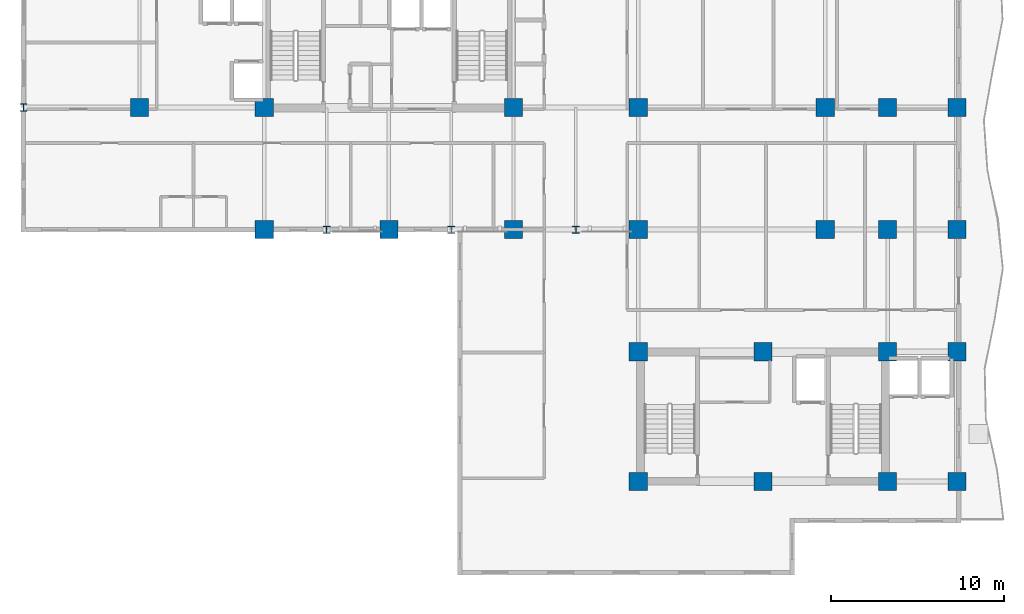
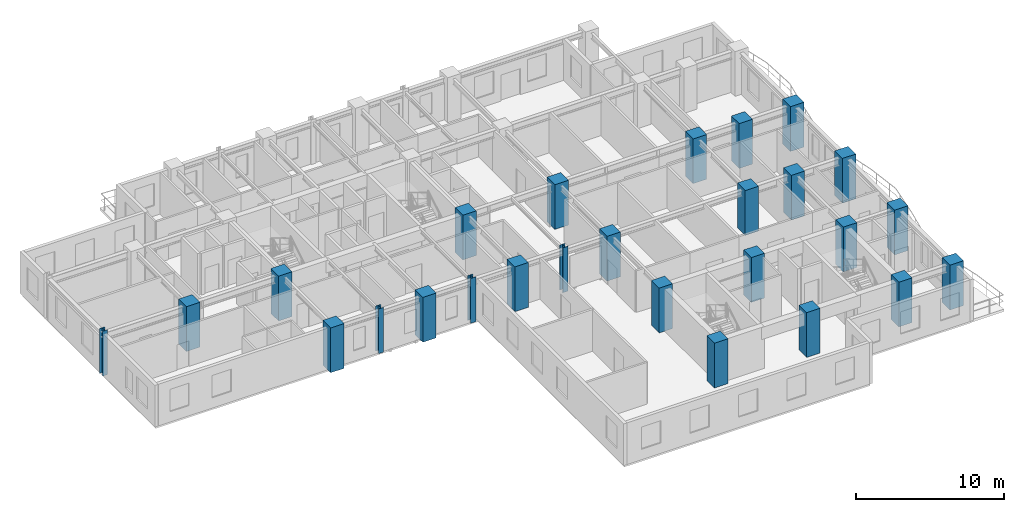
# One storey, part 1 of 13: 26 columns.
"""IFC4 building model written with IfcOpenShell, lengths in metres."""

from ifc_helpers import new_model, si_unit, direction, frame, origin, origin_2d, place, context, subcontext, project, spatial, rectangle, i_section, extrude, source, transform, mapped, material, material_profile, profile_set, type_object, element, save


model = new_model("IFC4")

# Units and contexts
model_context = context("Model", 3, precision=1e-05, world=origin(), true_north=direction((0.0, 1.0)))
body_context = subcontext(model_context, "Body", "Model", "MODEL_VIEW")
ifc_project = project(units=[si_unit("LENGTHUNIT", "METRE"), si_unit("AREAUNIT", "SQUARE_METRE"), si_unit("VOLUMEUNIT", "CUBIC_METRE"), si_unit("PLANEANGLEUNIT", "RADIAN"), si_unit("MASSUNIT", "GRAM", prefix="KILO")], contexts=[model_context])

# Site, building, storey
site_placement = place(None, origin())
site = spatial("IfcSite", under=ifc_project, at=site_placement, CompositionType="ELEMENT")
building_placement = place(site_placement, origin())
building = spatial("IfcBuilding", under=site, at=building_placement, Name="Kaliganga Portal Commons", CompositionType="ELEMENT")
storey_placement = place(building_placement, frame((0.0, 0.0, 173.5)))
storey = spatial("IfcBuildingStorey", under=building, at=storey_placement, Name="L44", CompositionType="ELEMENT", Elevation=173.5)

# Columns
ifc_material_1 = material(Name="Concrete C60/75", Category="concrete")
ifc_material_profile_1 = material_profile(ifc_material_1, rectangle(XDim=1.050048828125, YDim=1.050048828125, at=origin_2d()), Name="RC 1050x1050")
ifc_profile_set_1 = profile_set([ifc_material_profile_1], Name="Concrete C60/75")
column_type_1 = type_object("IfcColumnType", Name="COL-MEGA-Z3", PredefinedType="COLUMN", material=ifc_profile_set_1)
shared_shape_1 = source(origin(), body_context, "Body", "SweptSolid", [
    extrude(rectangle(XDim=1.050048828125, YDim=1.050048828125, at=origin_2d()), origin(), (0.0, 0.0, 1.0), 3.699951171875),
])
for number, where, z_axis, x_axis, name in (
    (1, (7.199951171875, 28.64990234375, 0.0), (0.0, 0.0, 1.0), (1.0, 0.0, 0.0), "Column MC-04 L44"),
    (2, (14.39990234375, 21.60009765625, 0.0), (0.0, 0.0, 1.0), (1.0, 0.0, 0.0), "Column MC-04 L44"),
    (3, (14.39990234375, 28.64990234375, 0.0), (0.0, 0.0, 1.0), (1.0, 0.0, 0.0), "Column MC-04 L44"),
    (4, (21.60009765625, 21.60009765625, 0.0), (0.0, 0.0, 1.0), (1.0, 0.0, 0.0), "Column MC-04 L44"),
    (5, (28.800048828125, 21.60009765625, 0.0), (0.0, 0.0, 1.0), (1.0, 0.0, 0.0), "Column MC-04 L44"),
    (6, (28.800048828125, 28.64990234375, 0.0), (0.0, 0.0, 1.0), (1.0, 0.0, 0.0), "Column MC-04 L44"),
    (7, (36.0, 21.60009765625, 0.0), (0.0, 0.0, 1.0), (1.0, 0.0, 0.0), "Column MC-04 L44"),
    (8, (36.0, 28.64990234375, 0.0), (0.0, 0.0, 1.0), (1.0, 0.0, 0.0), "Column MC-04 L44"),
    (9, (46.800048828125, 21.60009765625, 0.0), (0.0, 0.0, 1.0), (1.0, 0.0, 0.0), "Column MC-04 L44"),
    (10, (46.800048828125, 28.64990234375, 0.0), (0.0, 0.0, 1.0), (1.0, 0.0, 0.0), "Column MC-04 L44"),
    (11, (36.0, 7.050048828125, 0.0), (0.0, 0.0, 1.0), (1.0, 0.0, 0.0), "Column MC-04 L44"),
    (12, (36.0, 14.550048828125, 0.0), (0.0, 0.0, 1.0), (1.0, 0.0, 0.0), "Column MC-04 L44"),
    (13, (43.199951171875, 7.050048828125, 0.0), (0.0, 0.0, 1.0), (1.0, 0.0, 0.0), "Column MC-04 L44"),
    (14, (43.199951171875, 14.550048828125, 0.0), (0.0, 0.0, 1.0), (1.0, 0.0, 0.0), "Column MC-04 L44"),
    (15, (50.39990234375, 7.050048828125, 0.0), (0.0, 0.0, 1.0), (1.0, 0.0, 0.0), "Column MC-04 L44"),
    (16, (50.39990234375, 14.550048828125, 0.0), (0.0, 0.0, 1.0), (1.0, 0.0, 0.0), "Column MC-04 L44"),
    (17, (50.39990234375, 21.60009765625, 0.0), (0.0, 0.0, 1.0), (1.0, 0.0, 0.0), "Column MC-04 L44"),
    (18, (50.39990234375, 28.64990234375, 0.0), (0.0, 0.0, 1.0), (1.0, 0.0, 0.0), "Column MC-04 L44"),
    (19, (54.39990234375, 7.050048828125, 0.0), (0.0, 0.0, 1.0), (1.0, 0.0, 0.0), "Column MC-04 L44"),
    (20, (54.39990234375, 14.550048828125, 0.0), (0.0, 0.0, 1.0), (1.0, 0.0, 0.0), "Column MC-04 L44"),
    (21, (54.39990234375, 21.60009765625, 0.0), (0.0, 0.0, 1.0), (1.0, 0.0, 0.0), "Column MC-04 L44"),
    (22, (54.39990234375, 28.64990234375, 0.0), (0.0, 0.0, 1.0), (1.0, 0.0, 0.0), "Column MC-04 L44"),
):
    element("IfcColumn", number, at=place(storey_placement, frame(where, z_axis=z_axis, x_axis=x_axis)), inside=storey, type_object=column_type_1, Name=name, PredefinedType="COLUMN", context=body_context, shape_type="MappedRepresentation", body=[
        mapped(shared_shape_1, transform((0.0, 0.0, 0.0), x_axis=(1.0, 0.0, 0.0), y_axis=(0.0, 1.0, 0.0), z_axis=(0.0, 0.0, 1.0), scale=1.0)),
    ])
ifc_material_2 = material(Name="Structural steel S460M", Category="steel")
ifc_material_profile_2 = material_profile(ifc_material_2, i_section(OverallWidth=0.404052734375, OverallDepth=0.4140625, WebThickness=0.0205078125, FlangeThickness=0.028076171875, FilletRadius=0.014892578125, at=origin_2d()), Name="HD 400x347")
ifc_profile_set_2 = profile_set([ifc_material_profile_2], Name="Structural steel S460M wide-flange")
column_type_2 = type_object("IfcColumnType", Name="COL-TUBE-B3", PredefinedType="COLUMN", material=ifc_profile_set_2)
shared_shape_2 = source(origin(), body_context, "Body", "SweptSolid", [
    extrude(i_section(OverallWidth=0.404052734375, OverallDepth=0.4140625, WebThickness=0.0205078125, FlangeThickness=0.028076171875, FilletRadius=0.014892578125, at=origin_2d()), origin(), (0.0, 0.0, 1.0), 3.699951171875),
])
for number, where, z_axis, x_axis, name in (
    (23, (0.5, 28.64990234375, 0.0), (0.0, 0.0, 1.0), (1.0, 0.0, 0.0), "Column TC-03 L44"),
    (24, (18.0, 21.60009765625, 0.0), (0.0, 0.0, 1.0), (1.0, 0.0, 0.0), "Column TC-03 L44"),
    (25, (25.199951171875, 21.60009765625, 0.0), (0.0, 0.0, 1.0), (1.0, 0.0, 0.0), "Column TC-03 L44"),
    (26, (32.39990234375, 21.60009765625, 0.0), (0.0, 0.0, 1.0), (1.0, 0.0, 0.0), "Column TC-03 L44"),
):
    element("IfcColumn", number, at=place(storey_placement, frame(where, z_axis=z_axis, x_axis=x_axis)), inside=storey, type_object=column_type_2, Name=name, PredefinedType="COLUMN", context=body_context, shape_type="MappedRepresentation", body=[
        mapped(shared_shape_2, transform((0.0, 0.0, 0.0), x_axis=(1.0, 0.0, 0.0), y_axis=(0.0, 1.0, 0.0), z_axis=(0.0, 0.0, 1.0), scale=1.0)),
    ])

save(model, "model.ifc")
